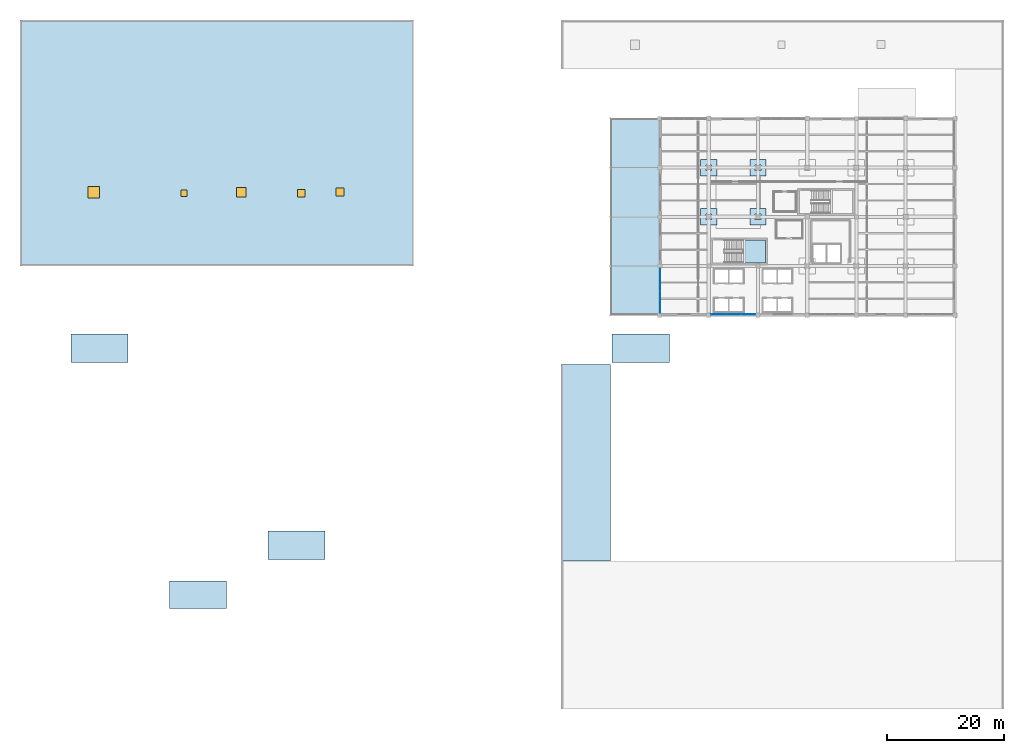
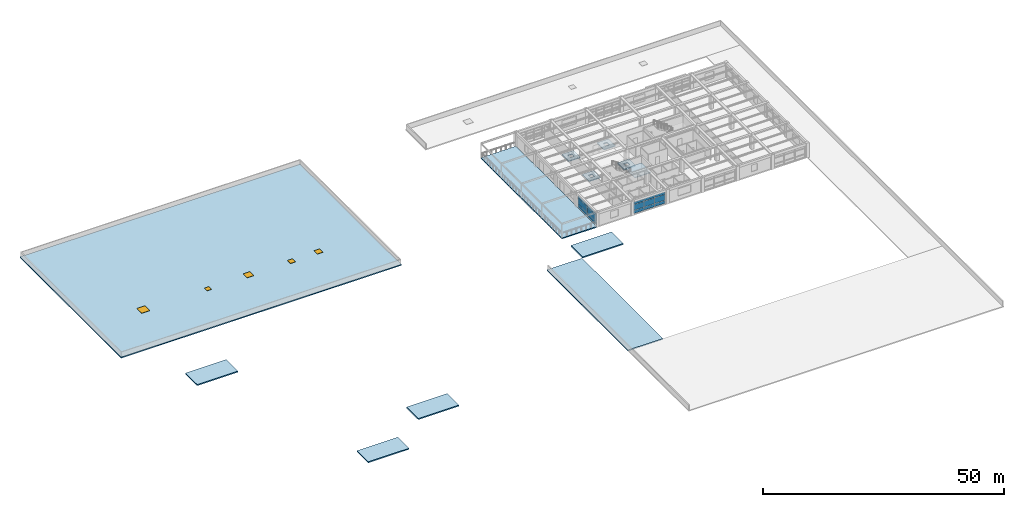
# One storey, part 27 of 35: 15 plates, 12 slabs, 3 windows, 2 doors, 5 openings, 3 elements without a shape of their own.
"""IFC4 building model written with IfcOpenShell, lengths in metres."""

from ifc_helpers import new_model, si_unit, direction, frame, origin, origin_2d, place, context, subcontext, project, spatial, polyline, rectangle, outline, extrude, material, layer, layer_set, type_object, element, fill, aggregate, save


model = new_model("IFC4")

# Units and contexts
model_context = context("Model", 3, precision=1e-05, world=origin(), true_north=direction((0.0, 1.0)))
body_context = subcontext(model_context, "Body", "Model", "MODEL_VIEW")
ifc_project = project(units=[si_unit("LENGTHUNIT", "METRE"), si_unit("AREAUNIT", "SQUARE_METRE"), si_unit("VOLUMEUNIT", "CUBIC_METRE"), si_unit("PLANEANGLEUNIT", "RADIAN"), si_unit("MASSUNIT", "GRAM", prefix="KILO")], contexts=[model_context])

# Site, building, storey
site_placement = place(None, origin())
site = spatial("IfcSite", under=ifc_project, at=site_placement, CompositionType="ELEMENT")
building_placement = place(site_placement, origin())
building = spatial("IfcBuilding", under=site, at=building_placement, Name="Almacenes y Pasaje Nevantli", CompositionType="ELEMENT")
storey_placement = place(building_placement, frame((0.0, 0.0, 26.699951171875)))
storey = spatial("IfcBuildingStorey", under=building, at=storey_placement, Name="L06", CompositionType="ELEMENT", Elevation=26.699951171875)

# Curtain wall, plates
ifc_material_1 = material(Name="Thermally Broken Aluminium and Low-E Glass", Category="aluminium")
curtain_wall_type = type_object("IfcCurtainWallType", Name="CW-UNIT-TOWER", PredefinedType="USERDEFINED", material=ifc_material_1)
curtain_wall_1_placement = place(storey_placement, origin())
curtain_wall_1 = element("IfcCurtainWall", 1, at=curtain_wall_1_placement, inside=storey, type_object=curtain_wall_type, Name="L06 Tower South Unitized Curtain Wall Bay 15", ObjectType="UNITIZED CURTAIN WALL", PredefinedType="USERDEFINED")
ifc_material_2 = material(Name="Low-E Double Glazed Insulated Unit", Category="glass")
ifc_layer_1 = layer(ifc_material_2, 0.031982421875)
ifc_layer_set_1 = layer_set([ifc_layer_1], Name="Low-E Double Glazed Insulated Unit")
plate_type = type_object("IfcPlateType", Name="PL-IGU-32", PredefinedType="CURTAIN_PANEL", material=ifc_layer_set_1)
plate_1_placement = place(storey_placement, frame((119.28173828125, 67.320068359375, 0.06005859375), z_axis=(0.0, 0.0, 1.0), x_axis=(1.0, 0.0, 0.0)))
plate_1 = element("IfcPlate", 2, at=plate_1_placement, type_object=plate_type, Name="CW-L06-103 panel 1.1", PredefinedType="CURTAIN_PANEL", context=body_context, shape_type="SweptSolid", body=[
    extrude(rectangle(XDim=2.443359375, YDim=0.031982421875, at=origin_2d()), origin(), (0.0, 0.0, 1.0), 0.760009765625),
])
plate_2_placement = place(storey_placement, frame((119.28173828125, 67.320068359375, 0.880126953125), z_axis=(0.0, 0.0, 1.0), x_axis=(1.0, 0.0, 0.0)))
plate_2 = element("IfcPlate", 3, at=plate_2_placement, type_object=plate_type, Name="CW-L06-103 panel 1.2", PredefinedType="CURTAIN_PANEL", context=body_context, shape_type="SweptSolid", body=[
    extrude(rectangle(XDim=2.443359375, YDim=0.031982421875, at=origin_2d()), origin(), (0.0, 0.0, 1.0), 1.43994140625),
])
plate_3_placement = place(storey_placement, frame((119.28173828125, 67.320068359375, 2.3798828125), z_axis=(0.0, 0.0, 1.0), x_axis=(1.0, 0.0, 0.0)))
plate_3 = element("IfcPlate", 4, at=plate_3_placement, type_object=plate_type, Name="CW-L06-103 panel 1.3", PredefinedType="CURTAIN_PANEL", context=body_context, shape_type="SweptSolid", body=[
    extrude(rectangle(XDim=2.443359375, YDim=0.031982421875, at=origin_2d()), origin(), (0.0, 0.0, 1.0), 0.60009765625),
])
plate_4_placement = place(storey_placement, frame((121.800048828125, 67.320068359375, 0.06005859375), z_axis=(0.0, 0.0, 1.0), x_axis=(1.0, 0.0, 0.0)))
plate_4 = element("IfcPlate", 5, at=plate_4_placement, type_object=plate_type, Name="CW-L06-103 panel 2.1", PredefinedType="CURTAIN_PANEL", context=body_context, shape_type="SweptSolid", body=[
    extrude(rectangle(XDim=2.473388671875, YDim=0.031982421875, at=origin_2d()), origin(), (0.0, 0.0, 1.0), 0.760009765625),
])
plate_5_placement = place(storey_placement, frame((121.800048828125, 67.320068359375, 0.880126953125), z_axis=(0.0, 0.0, 1.0), x_axis=(1.0, 0.0, 0.0)))
plate_5 = element("IfcPlate", 6, at=plate_5_placement, type_object=plate_type, Name="CW-L06-103 panel 2.2", PredefinedType="CURTAIN_PANEL", context=body_context, shape_type="SweptSolid", body=[
    extrude(rectangle(XDim=2.473388671875, YDim=0.031982421875, at=origin_2d()), origin(), (0.0, 0.0, 1.0), 1.43994140625),
])
plate_6_placement = place(storey_placement, frame((121.800048828125, 67.320068359375, 2.3798828125), z_axis=(0.0, 0.0, 1.0), x_axis=(1.0, 0.0, 0.0)))
plate_6 = element("IfcPlate", 7, at=plate_6_placement, type_object=plate_type, Name="CW-L06-103 panel 2.3", PredefinedType="CURTAIN_PANEL", context=body_context, shape_type="SweptSolid", body=[
    extrude(rectangle(XDim=2.473388671875, YDim=0.031982421875, at=origin_2d()), origin(), (0.0, 0.0, 1.0), 0.60009765625),
])
plate_7_placement = place(storey_placement, frame((124.318359375, 67.320068359375, 0.06005859375), z_axis=(0.0, 0.0, 1.0), x_axis=(1.0, 0.0, 0.0)))
plate_7 = element("IfcPlate", 8, at=plate_7_placement, type_object=plate_type, Name="CW-L06-103 panel 3.1", PredefinedType="CURTAIN_PANEL", context=body_context, shape_type="SweptSolid", body=[
    extrude(rectangle(XDim=2.443359375, YDim=0.031982421875, at=origin_2d()), origin(), (0.0, 0.0, 1.0), 0.760009765625),
])
plate_8_placement = place(storey_placement, frame((124.318359375, 67.320068359375, 0.880126953125), z_axis=(0.0, 0.0, 1.0), x_axis=(1.0, 0.0, 0.0)))
plate_8 = element("IfcPlate", 9, at=plate_8_placement, type_object=plate_type, Name="CW-L06-103 panel 3.2", PredefinedType="CURTAIN_PANEL", context=body_context, shape_type="SweptSolid", body=[
    extrude(rectangle(XDim=2.443359375, YDim=0.031982421875, at=origin_2d()), origin(), (0.0, 0.0, 1.0), 1.43994140625),
])
plate_9_placement = place(storey_placement, frame((124.318359375, 67.320068359375, 2.3798828125), z_axis=(0.0, 0.0, 1.0), x_axis=(1.0, 0.0, 0.0)))
plate_9 = element("IfcPlate", 10, at=plate_9_placement, type_object=plate_type, Name="CW-L06-103 panel 3.3", PredefinedType="CURTAIN_PANEL", context=body_context, shape_type="SweptSolid", body=[
    extrude(rectangle(XDim=2.443359375, YDim=0.031982421875, at=origin_2d()), origin(), (0.0, 0.0, 1.0), 0.60009765625),
])
aggregate(curtain_wall_1, [plate_1, plate_2, plate_3, plate_4, plate_5, plate_6, plate_7, plate_8, plate_9])

curtain_wall_2_placement = place(storey_placement, origin())
curtain_wall_2 = element("IfcCurtainWall", 11, at=curtain_wall_2_placement, inside=storey, type_object=curtain_wall_type, Name="L06 Tower West Curtain Wall Bay 9", ObjectType="UNITIZED CURTAIN WALL", PredefinedType="USERDEFINED")
plate_10_placement = place(storey_placement, frame((109.320068359375, 69.514892578125, 0.06005859375), z_axis=(0.0, 0.0, 1.0), x_axis=(0.0, 1.0, 0.0)))
plate_10 = element("IfcPlate", 12, at=plate_10_placement, type_object=plate_type, Name="CW-L06-108 panel 1.1", PredefinedType="CURTAIN_PANEL", context=body_context, shape_type="SweptSolid", body=[
    extrude(rectangle(XDim=3.7099609375, YDim=0.031982421875, at=origin_2d()), origin(), (0.0, 0.0, 1.0), 0.760009765625),
])
plate_11_placement = place(storey_placement, frame((109.320068359375, 69.514892578125, 0.880126953125), z_axis=(0.0, 0.0, 1.0), x_axis=(0.0, 1.0, 0.0)))
plate_11 = element("IfcPlate", 13, at=plate_11_placement, type_object=plate_type, Name="CW-L06-108 panel 1.2", PredefinedType="CURTAIN_PANEL", context=body_context, shape_type="SweptSolid", body=[
    extrude(rectangle(XDim=3.7099609375, YDim=0.031982421875, at=origin_2d()), origin(), (0.0, 0.0, 1.0), 1.43994140625),
])
plate_12_placement = place(storey_placement, frame((109.320068359375, 69.514892578125, 2.3798828125), z_axis=(0.0, 0.0, 1.0), x_axis=(0.0, 1.0, 0.0)))
plate_12 = element("IfcPlate", 14, at=plate_12_placement, type_object=plate_type, Name="CW-L06-108 panel 1.3", PredefinedType="CURTAIN_PANEL", context=body_context, shape_type="SweptSolid", body=[
    extrude(rectangle(XDim=3.7099609375, YDim=0.031982421875, at=origin_2d()), origin(), (0.0, 0.0, 1.0), 0.60009765625),
])
plate_13_placement = place(storey_placement, frame((109.320068359375, 73.284912109375, 0.06005859375), z_axis=(0.0, 0.0, 1.0), x_axis=(0.0, 1.0, 0.0)))
plate_13 = element("IfcPlate", 15, at=plate_13_placement, type_object=plate_type, Name="CW-L06-108 panel 2.1", PredefinedType="CURTAIN_PANEL", context=body_context, shape_type="SweptSolid", body=[
    extrude(rectangle(XDim=3.7099609375, YDim=0.031982421875, at=origin_2d()), origin(), (0.0, 0.0, 1.0), 0.760009765625),
])
plate_14_placement = place(storey_placement, frame((109.320068359375, 73.284912109375, 0.880126953125), z_axis=(0.0, 0.0, 1.0), x_axis=(0.0, 1.0, 0.0)))
plate_14 = element("IfcPlate", 16, at=plate_14_placement, type_object=plate_type, Name="CW-L06-108 panel 2.2", PredefinedType="CURTAIN_PANEL", context=body_context, shape_type="SweptSolid", body=[
    extrude(rectangle(XDim=3.7099609375, YDim=0.031982421875, at=origin_2d()), origin(), (0.0, 0.0, 1.0), 1.43994140625),
])
plate_15_placement = place(storey_placement, frame((109.320068359375, 73.284912109375, 2.3798828125), z_axis=(0.0, 0.0, 1.0), x_axis=(0.0, 1.0, 0.0)))
plate_15 = element("IfcPlate", 17, at=plate_15_placement, type_object=plate_type, Name="CW-L06-108 panel 2.3", PredefinedType="CURTAIN_PANEL", context=body_context, shape_type="SweptSolid", body=[
    extrude(rectangle(XDim=3.7099609375, YDim=0.031982421875, at=origin_2d()), origin(), (0.0, 0.0, 1.0), 0.60009765625),
])
aggregate(curtain_wall_2, [plate_10, plate_11, plate_12, plate_13, plate_14, plate_15])

# Slabs
ifc_material_3 = material(Name="Concrete C35/45", Category="concrete")
ifc_layer_2 = layer(ifc_material_3, 0.22998046875)
ifc_layer_set_2 = layer_set([ifc_layer_2], Name="Concrete C35/45")
slab_type_1 = type_object("IfcSlabType", Name="SLB-DP-230", PredefinedType="USERDEFINED", material=ifc_layer_set_2)
slab_1_placement = place(storey_placement, frame((0.0, 0.0, -0.510009765625)))
element("IfcSlab", 18, at=slab_1_placement, inside=storey, type_object=slab_type_1, Name="L06 Punching-Shear Drop Panel DP-01 #1099", ObjectType="DROP PANEL", PredefinedType="USERDEFINED", context=body_context, shape_type="SweptSolid", body=[
    extrude(outline(polyline([(116.199951171875, 82.60009765625), (119.0, 82.60009765625), (119.0, 85.39990234375), (116.199951171875, 85.39990234375), (116.199951171875, 82.60009765625)]), holes=[polyline([(117.1201171875, 83.52001953125), (118.080078125, 83.52001953125), (118.080078125, 84.47998046875), (117.1201171875, 84.47998046875), (117.1201171875, 83.52001953125)])]), origin(), (0.0, 0.0, 1.0), 0.22998046875),
])
slab_2_placement = place(storey_placement, frame((0.0, 0.0, -0.510009765625)))
element("IfcSlab", 19, at=slab_2_placement, inside=storey, type_object=slab_type_1, Name="L06 Punching-Shear Drop Panel DP-01 #1100", ObjectType="DROP PANEL", PredefinedType="USERDEFINED", context=body_context, shape_type="SweptSolid", body=[
    extrude(outline(polyline([(116.199951171875, 91.0), (119.0, 91.0), (119.0, 93.800048828125), (116.199951171875, 93.800048828125), (116.199951171875, 91.0)]), holes=[polyline([(117.1201171875, 91.919921875), (118.080078125, 91.919921875), (118.080078125, 92.8798828125), (117.1201171875, 92.8798828125), (117.1201171875, 91.919921875)])]), origin(), (0.0, 0.0, 1.0), 0.22998046875),
])
slab_3_placement = place(storey_placement, frame((0.0, 0.0, -0.510009765625)))
element("IfcSlab", 20, at=slab_3_placement, inside=storey, type_object=slab_type_1, Name="L06 Punching-Shear Drop Panel DP-01 #1101", ObjectType="DROP PANEL", PredefinedType="USERDEFINED", context=body_context, shape_type="SweptSolid", body=[
    extrude(outline(polyline([(124.60009765625, 82.60009765625), (127.39990234375, 82.60009765625), (127.39990234375, 85.39990234375), (124.60009765625, 85.39990234375), (124.60009765625, 82.60009765625)]), holes=[polyline([(125.52001953125, 83.52001953125), (126.47998046875, 83.52001953125), (126.47998046875, 84.47998046875), (125.52001953125, 84.47998046875), (125.52001953125, 83.52001953125)])]), origin(), (0.0, 0.0, 1.0), 0.22998046875),
])
slab_4_placement = place(storey_placement, frame((0.0, 0.0, -0.510009765625)))
element("IfcSlab", 21, at=slab_4_placement, inside=storey, type_object=slab_type_1, Name="L06 Punching-Shear Drop Panel DP-01 #1102", ObjectType="DROP PANEL", PredefinedType="USERDEFINED", context=body_context, shape_type="SweptSolid", body=[
    extrude(outline(polyline([(124.60009765625, 91.0), (127.39990234375, 91.0), (127.39990234375, 93.800048828125), (124.60009765625, 93.800048828125), (124.60009765625, 91.0)]), holes=[polyline([(125.52001953125, 91.919921875), (126.47998046875, 91.919921875), (126.47998046875, 92.8798828125), (125.52001953125, 92.8798828125), (125.52001953125, 91.919921875)])]), origin(), (0.0, 0.0, 1.0), 0.22998046875),
])

# Stair, slab
ifc_material_4 = material(Name="Concrete C35/45", Category="concrete")
stair_type = type_object("IfcStairType", Name="STR-CORE-1720", PredefinedType="HALF_TURN_STAIR", material=ifc_material_4)
stair_placement = place(storey_placement, origin())
stair = element("IfcStair", 22, at=stair_placement, inside=storey, type_object=stair_type, Name="L06 Staircase ST-01", PredefinedType="HALF_TURN_STAIR")
ifc_material_5 = material(Name="Concrete C35/45", Category="concrete")
ifc_layer_3 = layer(ifc_material_5, 0.199951171875)
ifc_layer_set_3 = layer_set([ifc_layer_3], Name="Concrete C35/45")
slab_type_2 = type_object("IfcSlabType", Name="SLB-LAND-200", PredefinedType="LANDING", material=ifc_layer_set_3)
slab_5_placement = place(storey_placement, frame((0.0, 0.0, 1.800048828125)))
slab_5 = element("IfcSlab", 23, at=slab_5_placement, type_object=slab_type_2, Name="ST-01-L06 landing 1", PredefinedType="LANDING", context=body_context, shape_type="SweptSolid", body=[
    extrude(outline(polyline([(123.47509765625, 76.14990234375), (127.300048828125, 76.14990234375), (127.300048828125, 80.0400390625), (123.47509765625, 80.0400390625), (123.47509765625, 76.14990234375)])), origin(), (0.0, 0.0, 1.0), 0.199951171875),
])
aggregate(stair, [slab_5])

# Slab, openings, doors, windows
ifc_material_6 = material(Name="Concrete C35/45", Category="concrete")
ifc_layer_4 = layer(ifc_material_6, 0.280029296875)
ifc_layer_set_4 = layer_set([ifc_layer_4], Name="Concrete C35/45")
slab_type_3 = type_object("IfcSlabType", Name="SLB-ROOF-280", PredefinedType="ROOF", material=ifc_layer_set_4)
slab_6_placement = place(storey_placement, frame((0.0, 0.0, -0.280029296875)))
slab_6 = element("IfcSlab", 24, at=slab_6_placement, inside=storey, type_object=slab_type_3, Name="L06 Northwest Podium Plant Flat Roof Slab", PredefinedType="ROOF", context=body_context, shape_type="SweptSolid", body=[
    extrude(outline(polyline([(0.0, 75.60009765625), (67.199951171875, 75.60009765625), (67.199951171875, 117.60009765625), (0.0, 117.60009765625), (0.0, 75.60009765625)])), origin(), (0.0, 0.0, 1.0), 0.280029296875),
])
opening_1_placement = place(slab_6_placement, frame((28.0, 88.0, -0.010009765625)))
opening_1 = element("IfcOpeningElement", 25, at=opening_1_placement, cuts=slab_6, Name="Opening HT-001", PredefinedType="OPENING", context=body_context, shape_type="SweptSolid", body=[
    extrude(rectangle(XDim=1.10009765625, YDim=1.10009765625, at=origin_2d()), origin(), (0.0, 0.0, 1.0), 0.35009765625),
])
opening_2_placement = place(slab_6_placement, frame((48.0, 88.0, -0.010009765625)))
opening_2 = element("IfcOpeningElement", 26, at=opening_2_placement, cuts=slab_6, Name="Opening HT-002", PredefinedType="OPENING", context=body_context, shape_type="SweptSolid", body=[
    extrude(rectangle(XDim=1.25, YDim=1.25, at=origin_2d()), origin(), (0.0, 0.0, 1.0), 0.35009765625),
])
opening_3_placement = place(slab_6_placement, frame((12.60009765625, 88.199951171875, -0.010009765625)))
opening_3 = element("IfcOpeningElement", 27, at=opening_3_placement, cuts=slab_6, Name="Opening SK-004", PredefinedType="OPENING", context=body_context, shape_type="SweptSolid", body=[
    extrude(rectangle(XDim=1.949951171875, YDim=1.949951171875, at=origin_2d()), origin(), (0.0, 0.0, 1.0), 0.35009765625),
])
opening_4_placement = place(slab_6_placement, frame((37.800048828125, 88.199951171875, -0.010009765625)))
opening_4 = element("IfcOpeningElement", 28, at=opening_4_placement, cuts=slab_6, Name="Opening SK-005", PredefinedType="OPENING", context=body_context, shape_type="SweptSolid", body=[
    extrude(rectangle(XDim=1.60009765625, YDim=1.60009765625, at=origin_2d()), origin(), (0.0, 0.0, 1.0), 0.35009765625),
])
opening_5_placement = place(slab_6_placement, frame((54.60009765625, 88.199951171875, -0.010009765625)))
opening_5 = element("IfcOpeningElement", 29, at=opening_5_placement, cuts=slab_6, Name="Opening SK-006", PredefinedType="OPENING", context=body_context, shape_type="SweptSolid", body=[
    extrude(rectangle(XDim=1.35009765625, YDim=1.35009765625, at=origin_2d()), origin(), (0.0, 0.0, 1.0), 0.35009765625),
])
ifc_material_7 = material(Name="Galvanized Insulated Steel", Category="steel")
door_type_1 = type_object("IfcDoorType", Name="DR-HATCH-1100", OperationType="SINGLE_SWING_LEFT", PredefinedType="TRAPDOOR", material=ifc_material_7)
door_1_placement = place(slab_6_placement, frame((28.0, 88.0, 0.280029296875)))
door_1 = element("IfcDoor", 30, at=door_1_placement, inside=storey, type_object=door_type_1, Name="L06 NW Plant Roof Access Hatch 1", OperationType="SINGLE_SWING_LEFT", OverallHeight=1.10009765625, OverallWidth=1.10009765625, PredefinedType="TRAPDOOR", context=body_context, shape_type="SweptSolid", body=[
    extrude(rectangle(XDim=1.10009765625, YDim=1.10009765625, at=origin_2d()), origin(), (0.0, 0.0, 1.0), 0.050048828125),
])
fill(opening_1, door_1)
ifc_material_8 = material(Name="Galvanized Insulated Steel", Category="steel")
door_type_2 = type_object("IfcDoorType", Name="DR-HATCH-1250", OperationType="SINGLE_SWING_LEFT", PredefinedType="TRAPDOOR", material=ifc_material_8)
door_2_placement = place(slab_6_placement, frame((48.0, 88.0, 0.280029296875)))
door_2 = element("IfcDoor", 31, at=door_2_placement, inside=storey, type_object=door_type_2, Name="L06 NW Plant Roof Access Hatch 2", OperationType="SINGLE_SWING_LEFT", OverallHeight=1.25, OverallWidth=1.25, PredefinedType="TRAPDOOR", context=body_context, shape_type="SweptSolid", body=[
    extrude(rectangle(XDim=1.25, YDim=1.25, at=origin_2d()), origin(), (0.0, 0.0, 1.0), 0.050048828125),
])
fill(opening_2, door_2)
ifc_material_9 = material(Name="Thermally Broken Aluminium and Low-E Double Glazing", Category="aluminium")
window_type_1 = type_object("IfcWindowType", Name="WN-SKY-1350", PartitioningType="SINGLE_PANEL", PredefinedType="SKYLIGHT", material=ifc_material_9)
window_1_placement = place(slab_6_placement, frame((54.60009765625, 88.199951171875, 0.280029296875)))
window_1 = element("IfcWindow", 32, at=window_1_placement, inside=storey, type_object=window_type_1, Name="Podium Roof Daylighting Curb Skylight SK-006", OverallHeight=1.35009765625, OverallWidth=1.35009765625, PartitioningType="SINGLE_PANEL", PredefinedType="SKYLIGHT", context=body_context, shape_type="SweptSolid", body=[
    extrude(rectangle(XDim=1.35009765625, YDim=1.35009765625, at=origin_2d()), origin(), (0.0, 0.0, 1.0), 0.050048828125),
])
fill(opening_5, window_1)
ifc_material_10 = material(Name="Thermally Broken Aluminium and Low-E Double Glazing", Category="aluminium")
window_type_2 = type_object("IfcWindowType", Name="WN-SKY-1600", PartitioningType="SINGLE_PANEL", PredefinedType="SKYLIGHT", material=ifc_material_10)
window_2_placement = place(slab_6_placement, frame((37.800048828125, 88.199951171875, 0.280029296875)))
window_2 = element("IfcWindow", 33, at=window_2_placement, inside=storey, type_object=window_type_2, Name="Podium Roof Daylighting Curb Skylight SK-005", OverallHeight=1.60009765625, OverallWidth=1.60009765625, PartitioningType="SINGLE_PANEL", PredefinedType="SKYLIGHT", context=body_context, shape_type="SweptSolid", body=[
    extrude(rectangle(XDim=1.60009765625, YDim=1.60009765625, at=origin_2d()), origin(), (0.0, 0.0, 1.0), 0.050048828125),
])
fill(opening_4, window_2)
ifc_material_11 = material(Name="Thermally Broken Aluminium and Low-E Double Glazing", Category="aluminium")
window_type_3 = type_object("IfcWindowType", Name="WN-SKY-1950", PartitioningType="SINGLE_PANEL", PredefinedType="SKYLIGHT", material=ifc_material_11)
window_3_placement = place(slab_6_placement, frame((12.60009765625, 88.199951171875, 0.280029296875)))
window_3 = element("IfcWindow", 34, at=window_3_placement, inside=storey, type_object=window_type_3, Name="Podium Roof Daylighting Curb Skylight SK-004", OverallHeight=1.949951171875, OverallWidth=1.949951171875, PartitioningType="SINGLE_PANEL", PredefinedType="SKYLIGHT", context=body_context, shape_type="SweptSolid", body=[
    extrude(rectangle(XDim=1.949951171875, YDim=1.949951171875, at=origin_2d()), origin(), (0.0, 0.0, 1.0), 0.050048828125),
])
fill(opening_3, window_3)

# Slabs
slab_7_placement = place(storey_placement, frame((0.0, 0.0, -0.280029296875)))
element("IfcSlab", 35, at=slab_7_placement, inside=storey, type_object=slab_type_3, Name="L06 Southwest Arcade Shoulder Maintenance Roof Slab", PredefinedType="ROOF", context=body_context, shape_type="SweptSolid", body=[
    extrude(outline(polyline([(92.39990234375, 25.199951171875), (100.800048828125, 25.199951171875), (100.800048828125, 58.800048828125), (92.39990234375, 58.800048828125), (92.39990234375, 25.199951171875)])), origin(), (0.0, 0.0, 1.0), 0.280029296875),
])
slab_8_placement = place(storey_placement, frame((0.0, 0.0, -0.280029296875)))
element("IfcSlab", 36, at=slab_8_placement, inside=storey, type_object=slab_type_3, Name="L06 Upper Ziggurat Walkable Roof Terrace Slab", PredefinedType="ROOF", context=body_context, shape_type="SweptSolid", body=[
    extrude(outline(polyline([(100.800048828125, 67.199951171875), (109.199951171875, 67.199951171875), (109.199951171875, 100.800048828125), (100.800048828125, 100.800048828125), (100.800048828125, 67.199951171875)])), origin(), (0.0, 0.0, 1.0), 0.280029296875),
])
slab_9_placement = place(storey_placement, frame((0.0, 0.0, -0.280029296875)))
element("IfcSlab", 37, at=slab_9_placement, inside=storey, type_object=slab_type_3, Name="L06 Exit Stair ST-04 Headhouse Roof Slab", PredefinedType="ROOF", context=body_context, shape_type="SweptSolid", body=[
    extrude(outline(polyline([(25.5, 17.14990234375), (35.25, 17.14990234375), (35.25, 21.800048828125), (25.5, 21.800048828125), (25.5, 17.14990234375)])), origin(), (0.0, 0.0, 1.0), 0.280029296875),
])
slab_10_placement = place(storey_placement, frame((0.0, 0.0, -0.280029296875)))
element("IfcSlab", 38, at=slab_10_placement, inside=storey, type_object=slab_type_3, Name="L06 Exit Stair ST-12 Headhouse Roof Slab", PredefinedType="ROOF", context=body_context, shape_type="SweptSolid", body=[
    extrude(outline(polyline([(8.699951171875, 59.10009765625), (18.449951171875, 59.10009765625), (18.449951171875, 63.949951171875), (8.699951171875, 63.949951171875), (8.699951171875, 59.10009765625)])), origin(), (0.0, 0.0, 1.0), 0.280029296875),
])
slab_11_placement = place(storey_placement, frame((0.0, 0.0, -0.280029296875)))
element("IfcSlab", 39, at=slab_11_placement, inside=storey, type_object=slab_type_3, Name="L06 Exit Stair ST-13 Headhouse Roof Slab", PredefinedType="ROOF", context=body_context, shape_type="SweptSolid", body=[
    extrude(outline(polyline([(101.10009765625, 59.10009765625), (110.85009765625, 59.10009765625), (110.85009765625, 63.949951171875), (101.10009765625, 63.949951171875), (101.10009765625, 59.10009765625)])), origin(), (0.0, 0.0, 1.0), 0.280029296875),
])
slab_12_placement = place(storey_placement, frame((0.0, 0.0, -0.280029296875)))
element("IfcSlab", 40, at=slab_12_placement, inside=storey, type_object=slab_type_3, Name="L06 Exit Stair ST-14 Headhouse Roof Slab", PredefinedType="ROOF", context=body_context, shape_type="SweptSolid", body=[
    extrude(outline(polyline([(42.300048828125, 25.5), (52.050048828125, 25.5), (52.050048828125, 30.35009765625), (42.300048828125, 30.35009765625), (42.300048828125, 25.5)])), origin(), (0.0, 0.0, 1.0), 0.280029296875),
])

save(model, "model.ifc")
